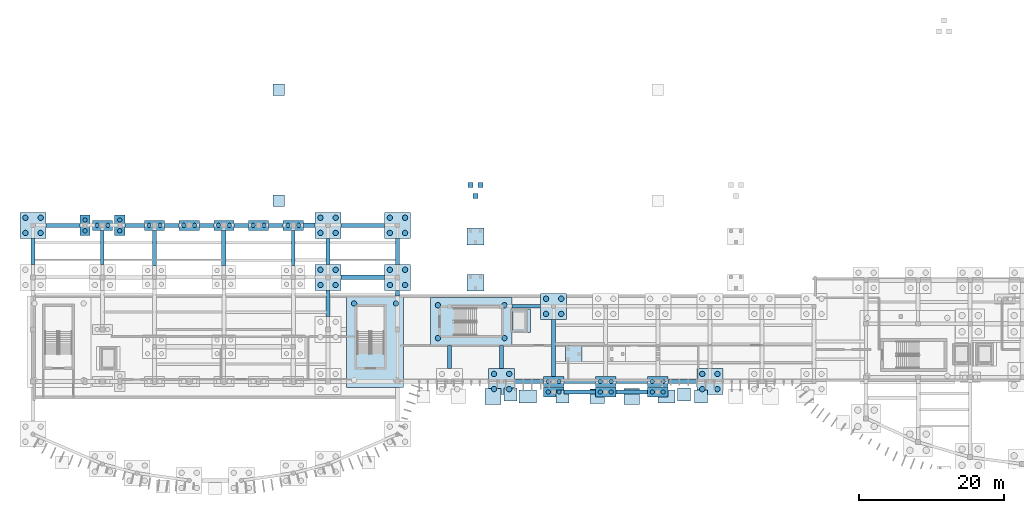
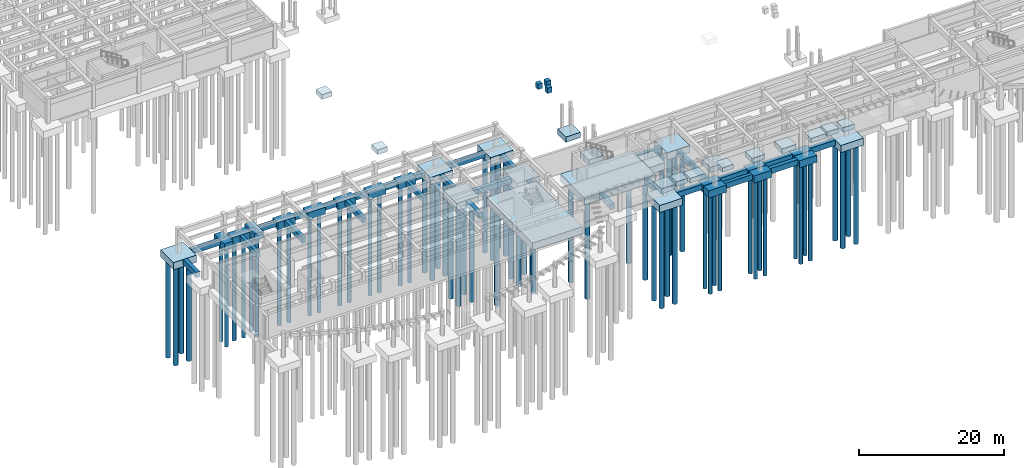
# One storey, part 2 of 31: 70 footings, 66 piles.
"""IFC4 building model written with IfcOpenShell, lengths in metres."""

from ifc_helpers import new_model, si_unit, direction, frame, origin, origin_2d, place, context, subcontext, project, spatial, rectangle, circle, extrude, material, material_profile, profile_set, type_object, element, save


model = new_model("IFC4")

# Units and contexts
model_context = context("Model", 3, precision=1e-05, world=origin(), true_north=direction((0.0, 1.0)))
body_context = subcontext(model_context, "Body", "Model", "MODEL_VIEW")
ifc_project = project(units=[si_unit("LENGTHUNIT", "METRE"), si_unit("AREAUNIT", "SQUARE_METRE"), si_unit("VOLUMEUNIT", "CUBIC_METRE"), si_unit("PLANEANGLEUNIT", "RADIAN"), si_unit("MASSUNIT", "GRAM", prefix="KILO")], contexts=[model_context])

# Site, building, storey
site_placement = place(None, origin())
site = spatial("IfcSite", under=ifc_project, at=site_placement, CompositionType="ELEMENT")
building_placement = place(site_placement, origin())
building = spatial("IfcBuilding", under=site, at=building_placement, Name="Brisavento Harbour Community Centre", CompositionType="ELEMENT")
storey_placement = place(building_placement, frame((0.0, 0.0, -4.199951171875)))
storey = spatial("IfcBuildingStorey", under=building, at=storey_placement, Name="B1", CompositionType="ELEMENT", Elevation=-4.199951171875)

# Footings
ifc_material = material(Name="Concrete C35/45", Category="concrete")
footing_type_1 = type_object("IfcFootingType", Name="FTG-GB-01", PredefinedType="FOOTING_BEAM", material=ifc_material)
footing_1_placement = place(storey_placement, frame((9.60009765625, 32.949951171875, -0.89990234375), z_axis=(0.0, 0.0, 1.0), x_axis=(1.0, 0.0, 0.0)))
element("IfcFooting", 1, at=footing_1_placement, inside=storey, type_object=footing_type_1, Name="Ground tie beam GB-009", PredefinedType="FOOTING_BEAM", context=body_context, shape_type="SweptSolid", body=[
    extrude(rectangle(XDim=0.5, YDim=4.699951171875, at=origin_2d()), origin(), (0.0, 0.0, 1.0), 0.89990234375),
])
footing_2_placement = place(storey_placement, frame((36.0, 32.862548828125, -0.89990234375), z_axis=(0.0, 0.0, 1.0), x_axis=(1.0, 0.0, 0.0)))
element("IfcFooting", 2, at=footing_2_placement, inside=storey, type_object=footing_type_1, Name="Ground tie beam GB-039", PredefinedType="FOOTING_BEAM", context=body_context, shape_type="SweptSolid", body=[
    extrude(rectangle(XDim=0.5, YDim=4.875, at=origin_2d()), origin(), (0.0, 0.0, 1.0), 0.89990234375),
])
footing_3_placement = place(storey_placement, frame((68.22509765625, 24.800048828125, -0.89990234375), z_axis=(0.0, 0.0, 1.0), x_axis=(1.0, 0.0, 0.0)))
element("IfcFooting", 3, at=footing_3_placement, inside=storey, type_object=footing_type_1, Name="Ground tie beam GB-051", PredefinedType="FOOTING_BEAM", context=body_context, shape_type="SweptSolid", body=[
    extrude(rectangle(XDim=3.949951171875, YDim=0.5, at=origin_2d()), origin(), (0.0, 0.0, 1.0), 0.89990234375),
])
footing_type_2 = type_object("IfcFootingType", Name="FTG-GB-02", PredefinedType="FOOTING_BEAM", material=ifc_material)
footing_4_placement = place(storey_placement, frame((4.14990234375, 36.0, -0.89990234375), z_axis=(0.0, 0.0, 1.0), x_axis=(1.0, 0.0, 0.0)))
element("IfcFooting", 4, at=footing_4_placement, inside=storey, type_object=footing_type_2, Name="Ground tie beam GB-007", PredefinedType="FOOTING_BEAM", context=body_context, shape_type="SweptSolid", body=[
    extrude(rectangle(XDim=4.699951171875, YDim=0.550048828125, at=origin_2d()), origin(), (0.0, 0.0, 1.0), 0.89990234375),
])
footing_5_placement = place(storey_placement, frame((40.800048828125, 32.39990234375, -0.89990234375), z_axis=(0.0, 0.0, 1.0), x_axis=(1.0, 0.0, 0.0)))
element("IfcFooting", 5, at=footing_5_placement, inside=storey, type_object=footing_type_2, Name="Ground tie beam GB-016", PredefinedType="FOOTING_BEAM", context=body_context, shape_type="SweptSolid", body=[
    extrude(rectangle(XDim=0.550048828125, YDim=3.60009765625, at=origin_2d()), origin(), (0.0, 0.0, 1.0), 0.89990234375),
])
footing_6_placement = place(storey_placement, frame((45.60009765625, 36.0, -0.89990234375), z_axis=(0.0, 0.0, 1.0), x_axis=(1.0, 0.0, 0.0)))
element("IfcFooting", 6, at=footing_6_placement, inside=storey, type_object=footing_type_2, Name="Ground tie beam GB-019", PredefinedType="FOOTING_BEAM", context=body_context, shape_type="SweptSolid", body=[
    extrude(rectangle(XDim=6.0, YDim=0.550048828125, at=origin_2d()), origin(), (0.0, 0.0, 1.0), 0.89990234375),
])
footing_7_placement = place(storey_placement, frame((50.39990234375, 26.625, -0.89990234375), z_axis=(0.0, 0.0, 1.0), x_axis=(1.0, 0.0, 0.0)))
element("IfcFooting", 7, at=footing_7_placement, inside=storey, type_object=footing_type_2, Name="Ground tie beam GB-022", PredefinedType="FOOTING_BEAM", context=body_context, shape_type="SweptSolid", body=[
    extrude(rectangle(XDim=0.550048828125, YDim=0.75, at=origin_2d()), origin(), (0.0, 0.0, 1.0), 0.89990234375),
])
footing_8_placement = place(storey_placement, frame((14.050048828125, 36.0, -0.89990234375), z_axis=(0.0, 0.0, 1.0), x_axis=(1.0, 0.0, 0.0)))
element("IfcFooting", 8, at=footing_8_placement, inside=storey, type_object=footing_type_2, Name="Ground tie beam GB-025", PredefinedType="FOOTING_BEAM", context=body_context, shape_type="SweptSolid", body=[
    extrude(rectangle(XDim=2.699951171875, YDim=0.550048828125, at=origin_2d()), origin(), (0.0, 0.0, 1.0), 0.89990234375),
])
for number, where, z_axis, x_axis, name in (
    (9, (19.199951171875, 36.0, -0.89990234375), (0.0, 0.0, 1.0), (1.0, 0.0, 0.0), "Ground tie beam GB-028"),
    (10, (24.0, 36.0, -0.89990234375), (0.0, 0.0, 1.0), (1.0, 0.0, 0.0), "Ground tie beam GB-031"),
    (11, (28.800048828125, 36.0, -0.89990234375), (0.0, 0.0, 1.0), (1.0, 0.0, 0.0), "Ground tie beam GB-034"),
    (12, (33.60009765625, 36.0, -0.89990234375), (0.0, 0.0, 1.0), (1.0, 0.0, 0.0), "Ground tie beam GB-037"),
):
    element("IfcFooting", number, at=place(storey_placement, frame(where, z_axis=z_axis, x_axis=x_axis)), inside=storey, type_object=footing_type_2, Name=name, PredefinedType="FOOTING_BEAM", context=body_context, shape_type="SweptSolid", body=[
        extrude(rectangle(XDim=2.0, YDim=0.550048828125, at=origin_2d()), origin(), (0.0, 0.0, 1.0), 0.89990234375),
    ])
footing_9_placement = place(storey_placement, frame((64.800048828125, 17.77490234375, -0.89990234375), z_axis=(0.0, 0.0, 1.0), x_axis=(1.0, 0.0, 0.0)))
element("IfcFooting", 13, at=footing_9_placement, inside=storey, type_object=footing_type_2, Name="Ground tie beam GB-049", PredefinedType="FOOTING_BEAM", context=body_context, shape_type="SweptSolid", body=[
    extrude(rectangle(XDim=0.550048828125, YDim=3.14990234375, at=origin_2d()), origin(), (0.0, 0.0, 1.0), 0.89990234375),
])
footing_10_placement = place(storey_placement, frame((72.0, 19.050048828125, -0.89990234375), z_axis=(0.0, 0.0, 1.0), x_axis=(1.0, 0.0, 0.0)))
element("IfcFooting", 14, at=footing_10_placement, inside=storey, type_object=footing_type_2, Name="Ground tie beam GB-052", PredefinedType="FOOTING_BEAM", context=body_context, shape_type="SweptSolid", body=[
    extrude(rectangle(XDim=0.550048828125, YDim=7.89990234375, at=origin_2d()), origin(), (0.0, 0.0, 1.0), 0.89990234375),
])
footing_11_placement = place(storey_placement, frame((75.60009765625, 12.949951171875, -0.89990234375), z_axis=(0.0, 0.0, 1.0), x_axis=(1.0, 0.0, 0.0)))
element("IfcFooting", 15, at=footing_11_placement, inside=storey, type_object=footing_type_2, Name="Ground tie beam GB-103", PredefinedType="FOOTING_BEAM", context=body_context, shape_type="SweptSolid", body=[
    extrude(rectangle(XDim=4.39990234375, YDim=0.550048828125, at=origin_2d()), origin(), (0.0, 0.0, 1.0), 0.89990234375),
])
footing_type_3 = type_object("IfcFootingType", Name="FTG-GB-03", PredefinedType="FOOTING_BEAM", material=ifc_material)
for number, where, z_axis, x_axis, name in (
    (16, (0.0, 32.39990234375, -0.89990234375), (0.0, 0.0, 1.0), (1.0, 0.0, 0.0), "Ground tie beam GB-005"),
    (17, (40.800048828125, 25.199951171875, -0.89990234375), (0.0, 0.0, 1.0), (1.0, 0.0, 0.0), "Ground tie beam GB-014"),
):
    element("IfcFooting", number, at=place(storey_placement, frame(where, z_axis=z_axis, x_axis=x_axis)), inside=storey, type_object=footing_type_3, Name=name, PredefinedType="FOOTING_BEAM", context=body_context, shape_type="SweptSolid", body=[
        extrude(rectangle(XDim=0.60009765625, YDim=3.60009765625, at=origin_2d()), origin(), (0.0, 0.0, 1.0), 0.89990234375),
    ])
footing_12_placement = place(storey_placement, frame((45.60009765625, 28.800048828125, -0.89990234375), z_axis=(0.0, 0.0, 1.0), x_axis=(1.0, 0.0, 0.0)))
element("IfcFooting", 18, at=footing_12_placement, inside=storey, type_object=footing_type_3, Name="Ground tie beam GB-017", PredefinedType="FOOTING_BEAM", context=body_context, shape_type="SweptSolid", body=[
    extrude(rectangle(XDim=6.0, YDim=0.60009765625, at=origin_2d()), origin(), (0.0, 0.0, 1.0), 0.89990234375),
])
footing_13_placement = place(storey_placement, frame((38.199951171875, 36.0, -0.89990234375), z_axis=(0.0, 0.0, 1.0), x_axis=(1.0, 0.0, 0.0)))
element("IfcFooting", 19, at=footing_13_placement, inside=storey, type_object=footing_type_3, Name="Ground tie beam GB-020", PredefinedType="FOOTING_BEAM", context=body_context, shape_type="SweptSolid", body=[
    extrude(rectangle(XDim=1.60009765625, YDim=0.60009765625, at=origin_2d()), origin(), (0.0, 0.0, 1.0), 0.89990234375),
])
footing_14_placement = place(storey_placement, frame((50.39990234375, 32.39990234375, -0.89990234375), z_axis=(0.0, 0.0, 1.0), x_axis=(1.0, 0.0, 0.0)))
element("IfcFooting", 20, at=footing_14_placement, inside=storey, type_object=footing_type_3, Name="Ground tie beam GB-023", PredefinedType="FOOTING_BEAM", context=body_context, shape_type="SweptSolid", body=[
    extrude(rectangle(XDim=0.60009765625, YDim=3.60009765625, at=origin_2d()), origin(), (0.0, 0.0, 1.0), 0.89990234375),
])
for number, where, z_axis, x_axis, name in (
    (21, (16.800048828125, 32.862548828125, -0.89990234375), (0.0, 0.0, 1.0), (1.0, 0.0, 0.0), "Ground tie beam GB-029"),
    (22, (26.39990234375, 32.862548828125, -0.89990234375), (0.0, 0.0, 1.0), (1.0, 0.0, 0.0), "Ground tie beam GB-035"),
):
    element("IfcFooting", number, at=place(storey_placement, frame(where, z_axis=z_axis, x_axis=x_axis)), inside=storey, type_object=footing_type_3, Name=name, PredefinedType="FOOTING_BEAM", context=body_context, shape_type="SweptSolid", body=[
        extrude(rectangle(XDim=0.60009765625, YDim=4.875, at=origin_2d()), origin(), (0.0, 0.0, 1.0), 0.89990234375),
    ])
footing_15_placement = place(storey_placement, frame((57.60009765625, 17.77490234375, -0.89990234375), z_axis=(0.0, 0.0, 1.0), x_axis=(1.0, 0.0, 0.0)))
element("IfcFooting", 23, at=footing_15_placement, inside=storey, type_object=footing_type_3, Name="Ground tie beam GB-047", PredefinedType="FOOTING_BEAM", context=body_context, shape_type="SweptSolid", body=[
    extrude(rectangle(XDim=0.60009765625, YDim=3.14990234375, at=origin_2d()), origin(), (0.0, 0.0, 1.0), 0.89990234375),
])
footing_16_placement = place(storey_placement, frame((68.60009765625, 14.39990234375, -0.89990234375), z_axis=(0.0, 0.0, 1.0), x_axis=(1.0, 0.0, 0.0)))
element("IfcFooting", 24, at=footing_16_placement, inside=storey, type_object=footing_type_3, Name="Ground tie beam GB-050", PredefinedType="FOOTING_BEAM", context=body_context, shape_type="SweptSolid", body=[
    extrude(rectangle(XDim=4.0, YDim=0.60009765625, at=origin_2d()), origin(), (0.0, 0.0, 1.0), 0.89990234375),
])
for number, where, z_axis, x_axis, name in (
    (25, (75.60009765625, 14.39990234375, -0.89990234375), (0.0, 0.0, 1.0), (1.0, 0.0, 0.0), "Ground tie beam GB-053"),
    (26, (82.800048828125, 14.39990234375, -0.89990234375), (0.0, 0.0, 1.0), (1.0, 0.0, 0.0), "Ground tie beam GB-056"),
):
    element("IfcFooting", number, at=place(storey_placement, frame(where, z_axis=z_axis, x_axis=x_axis)), inside=storey, type_object=footing_type_3, Name=name, PredefinedType="FOOTING_BEAM", context=body_context, shape_type="SweptSolid", body=[
        extrude(rectangle(XDim=4.39990234375, YDim=0.60009765625, at=origin_2d()), origin(), (0.0, 0.0, 1.0), 0.89990234375),
    ])
footing_17_placement = place(storey_placement, frame((89.800048828125, 14.39990234375, -0.89990234375), z_axis=(0.0, 0.0, 1.0), x_axis=(1.0, 0.0, 0.0)))
element("IfcFooting", 27, at=footing_17_placement, inside=storey, type_object=footing_type_3, Name="Ground tie beam GB-059", PredefinedType="FOOTING_BEAM", context=body_context, shape_type="SweptSolid", body=[
    extrude(rectangle(XDim=4.0, YDim=0.60009765625, at=origin_2d()), origin(), (0.0, 0.0, 1.0), 0.89990234375),
])
footing_18_placement = place(storey_placement, frame((82.800048828125, 12.949951171875, -0.89990234375), z_axis=(0.0, 0.0, 1.0), x_axis=(1.0, 0.0, 0.0)))
element("IfcFooting", 28, at=footing_18_placement, inside=storey, type_object=footing_type_3, Name="Ground tie beam GB-104", PredefinedType="FOOTING_BEAM", context=body_context, shape_type="SweptSolid", body=[
    extrude(rectangle(XDim=4.39990234375, YDim=0.60009765625, at=origin_2d()), origin(), (0.0, 0.0, 1.0), 0.89990234375),
])
footing_type_4 = type_object("IfcFootingType", Name="FTG-LP-LC-04", PredefinedType="PILE_CAP", material=ifc_material)
footing_19_placement = place(storey_placement, frame((67.5673828125, 22.800048828125, -1.2001953125), z_axis=(0.0, 0.0, 1.0), x_axis=(1.0, 0.0, 0.0)))
element("IfcFooting", 29, at=footing_19_placement, inside=storey, type_object=footing_type_4, Name="Lift LC-04 shaft pit foundation", PredefinedType="PILE_CAP", context=body_context, shape_type="SweptSolid", body=[
    extrude(rectangle(XDim=2.514892578125, YDim=3.25, at=origin_2d()), origin(), (0.0, 0.0, 1.0), 1.199951171875),
])
footing_type_5 = type_object("IfcFootingType", Name="FTG-MAT-C1B", PredefinedType="PILE_CAP", material=ifc_material)
footing_20_placement = place(storey_placement, frame((47.300048828125, 19.89990234375, -1.2001953125), z_axis=(0.0, 0.0, 1.0), x_axis=(1.0, 0.0, 0.0)))
element("IfcFooting", 30, at=footing_20_placement, inside=storey, type_object=footing_type_5, Name="Stair core C1B mat pile cap", PredefinedType="PILE_CAP", context=body_context, shape_type="SweptSolid", body=[
    extrude(rectangle(XDim=7.89990234375, YDim=12.699951171875, at=origin_2d()), origin(), (0.0, 0.0, 1.0), 1.199951171875),
])
footing_type_6 = type_object("IfcFootingType", Name="FTG-MAT-C2", PredefinedType="PILE_CAP", material=ifc_material)
footing_21_placement = place(storey_placement, frame((60.60009765625, 22.675048828125, -1.2001953125), z_axis=(0.0, 0.0, 1.0), x_axis=(1.0, 0.0, 0.0)))
element("IfcFooting", 31, at=footing_21_placement, inside=storey, type_object=footing_type_6, Name="Stair core C2 mat pile cap", PredefinedType="PILE_CAP", context=body_context, shape_type="SweptSolid", body=[
    extrude(rectangle(XDim=11.300048828125, YDim=6.64990234375, at=origin_2d()), origin(), (0.0, 0.0, 1.0), 1.199951171875),
])
footing_type_7 = type_object("IfcFootingType", Name="FTG-MST-MST-01-MID", PredefinedType="PAD_FOOTING", material=ifc_material)
footing_22_placement = place(storey_placement, frame((61.199951171875, 34.455078125, -0.89990234375), z_axis=(0.0, 0.0, 1.0), x_axis=(1.0, 0.0, 0.0)))
element("IfcFooting", 32, at=footing_22_placement, inside=storey, type_object=footing_type_7, Name="MST-01 MID landing pad footing", PredefinedType="PAD_FOOTING", context=body_context, shape_type="SweptSolid", body=[
    extrude(rectangle(XDim=2.300048828125, YDim=2.300048828125, at=origin_2d()), origin(), (0.0, 0.0, 1.0), 0.89990234375),
])
footing_type_8 = type_object("IfcFootingType", Name="FTG-MST-MST-01-TOP", PredefinedType="PAD_FOOTING", material=ifc_material)
footing_23_placement = place(storey_placement, frame((61.199951171875, 28.0849609375, -0.89990234375), z_axis=(0.0, 0.0, 1.0), x_axis=(1.0, 0.0, 0.0)))
element("IfcFooting", 33, at=footing_23_placement, inside=storey, type_object=footing_type_8, Name="MST-01 TOP landing pad footing", PredefinedType="PAD_FOOTING", context=body_context, shape_type="SweptSolid", body=[
    extrude(rectangle(XDim=2.300048828125, YDim=2.300048828125, at=origin_2d()), origin(), (0.0, 0.0, 1.0), 0.89990234375),
])
footing_type_9 = type_object("IfcFootingType", Name="FTG-MST-MST-08-BOT", PredefinedType="PAD_FOOTING", material=ifc_material)
footing_24_placement = place(storey_placement, frame((74.764892578125, 18.199951171875, -0.89990234375), z_axis=(0.0, 0.0, 1.0), x_axis=(1.0, 0.0, 0.0)))
element("IfcFooting", 34, at=footing_24_placement, inside=storey, type_object=footing_type_9, Name="MST-08 BOT landing pad footing", PredefinedType="PAD_FOOTING", context=body_context, shape_type="SweptSolid", body=[
    extrude(rectangle(XDim=2.300048828125, YDim=2.300048828125, at=origin_2d()), origin(), (0.0, 0.0, 1.0), 0.89990234375),
])
footing_type_10 = type_object("IfcFootingType", Name="FTG-PC-2A", PredefinedType="PILE_CAP", material=ifc_material)
footing_25_placement = place(storey_placement, frame((9.60009765625, 36.0, -1.2001953125), z_axis=(0.0, 0.0, 1.0), x_axis=(1.0, 0.0, 0.0)))
element("IfcFooting", 35, at=footing_25_placement, inside=storey, type_object=footing_type_10, Name="Pile cap PC-016", PredefinedType="PILE_CAP", context=body_context, shape_type="SweptSolid", body=[
    extrude(rectangle(XDim=2.800048828125, YDim=1.39990234375, at=origin_2d()), origin(), (0.0, 0.0, 1.0), 1.199951171875),
])
for number, where, z_axis, x_axis, name in (
    (36, (7.199951171875, 36.0, -1.2001953125), (0.0, 0.0, 1.0), (1.0, 0.0, 0.0), "Pile cap PC-026"),
    (37, (12.0, 36.0, -1.2001953125), (0.0, 0.0, 1.0), (1.0, 0.0, 0.0), "Pile cap PC-028"),
):
    element("IfcFooting", number, at=place(storey_placement, frame(where, z_axis=z_axis, x_axis=x_axis)), inside=storey, type_object=footing_type_10, Name=name, PredefinedType="PILE_CAP", context=body_context, shape_type="SweptSolid", body=[
        extrude(rectangle(XDim=1.39990234375, YDim=2.800048828125, at=origin_2d()), origin(), (0.0, 0.0, 1.0), 1.199951171875),
    ])
for number, where, z_axis, x_axis, name in (
    (38, (16.800048828125, 36.0, -1.2001953125), (0.0, 0.0, 1.0), (1.0, 0.0, 0.0), "Pile cap PC-030"),
    (39, (21.60009765625, 36.0, -1.2001953125), (0.0, 0.0, 1.0), (1.0, 0.0, 0.0), "Pile cap PC-032"),
    (40, (26.39990234375, 36.0, -1.2001953125), (0.0, 0.0, 1.0), (1.0, 0.0, 0.0), "Pile cap PC-034"),
    (41, (31.199951171875, 36.0, -1.2001953125), (0.0, 0.0, 1.0), (1.0, 0.0, 0.0), "Pile cap PC-036"),
    (42, (36.0, 36.0, -1.2001953125), (0.0, 0.0, 1.0), (1.0, 0.0, 0.0), "Pile cap PC-038"),
    (43, (72.0, 14.39990234375, -1.2001953125), (0.0, 0.0, 1.0), (1.0, 0.0, 0.0), "Pile cap PC-049"),
    (44, (79.199951171875, 14.39990234375, -1.2001953125), (0.0, 0.0, 1.0), (1.0, 0.0, 0.0), "Pile cap PC-051"),
    (45, (86.39990234375, 14.39990234375, -1.2001953125), (0.0, 0.0, 1.0), (1.0, 0.0, 0.0), "Pile cap PC-053"),
    (46, (72.0, 12.949951171875, -1.2001953125), (0.0, 0.0, 1.0), (1.0, 0.0, 0.0), "Pile cap PC-100"),
    (47, (79.199951171875, 12.949951171875, -1.2001953125), (0.0, 0.0, 1.0), (1.0, 0.0, 0.0), "Pile cap PC-101"),
    (48, (86.39990234375, 12.949951171875, -1.2001953125), (0.0, 0.0, 1.0), (1.0, 0.0, 0.0), "Pile cap PC-102"),
):
    element("IfcFooting", number, at=place(storey_placement, frame(where, z_axis=z_axis, x_axis=x_axis)), inside=storey, type_object=footing_type_10, Name=name, PredefinedType="PILE_CAP", context=body_context, shape_type="SweptSolid", body=[
        extrude(rectangle(XDim=2.800048828125, YDim=1.39990234375, at=origin_2d()), origin(), (0.0, 0.0, 1.0), 1.199951171875),
    ])
footing_type_11 = type_object("IfcFootingType", Name="FTG-PC-4B", PredefinedType="PILE_CAP", material=ifc_material)
for number, where, z_axis, x_axis, name in (
    (49, (0.0, 36.0, -1.2001953125), (0.0, 0.0, 1.0), (1.0, 0.0, 0.0), "Pile cap PC-012"),
    (50, (40.800048828125, 28.800048828125, -1.2001953125), (0.0, 0.0, 1.0), (1.0, 0.0, 0.0), "Pile cap PC-019"),
    (51, (40.800048828125, 36.0, -1.2001953125), (0.0, 0.0, 1.0), (1.0, 0.0, 0.0), "Pile cap PC-020"),
    (52, (50.39990234375, 28.800048828125, -1.2001953125), (0.0, 0.0, 1.0), (1.0, 0.0, 0.0), "Pile cap PC-023"),
    (53, (50.39990234375, 36.0, -1.2001953125), (0.0, 0.0, 1.0), (1.0, 0.0, 0.0), "Pile cap PC-024"),
    (54, (64.800048828125, 14.39990234375, -1.2001953125), (0.0, 0.0, 1.0), (1.0, 0.0, 0.0), "Pile cap PC-047"),
    (55, (72.0, 24.800048828125, -1.2001953125), (0.0, 0.0, 1.0), (1.0, 0.0, 0.0), "Pile cap PC-050"),
    (56, (93.60009765625, 14.39990234375, -1.2001953125), (0.0, 0.0, 1.0), (1.0, 0.0, 0.0), "Pile cap PC-055"),
):
    element("IfcFooting", number, at=place(storey_placement, frame(where, z_axis=z_axis, x_axis=x_axis)), inside=storey, type_object=footing_type_11, Name=name, PredefinedType="PILE_CAP", context=body_context, shape_type="SweptSolid", body=[
        extrude(rectangle(XDim=3.60009765625, YDim=3.60009765625, at=origin_2d()), origin(), (0.0, 0.0, 1.0), 1.199951171875),
    ])
footing_type_12 = type_object("IfcFootingType", Name="FTG-PF-01", PredefinedType="PAD_FOOTING", material=ifc_material)
for number, where, z_axis, x_axis, name in (
    (57, (73.199951171875, 12.35009765625, 3.030029296875), (0.0, 0.0, 1.0), (1.0, 0.0, 0.0), "Colonnade pad footing 5"),
    (58, (92.39990234375, 12.35009765625, 3.030029296875), (0.0, 0.0, 1.0), (1.0, 0.0, 0.0), "Colonnade pad footing 9"),
):
    element("IfcFooting", number, at=place(storey_placement, frame(where, z_axis=z_axis, x_axis=x_axis)), inside=storey, type_object=footing_type_12, Name=name, PredefinedType="PAD_FOOTING", context=body_context, shape_type="SweptSolid", body=[
        extrude(rectangle(XDim=1.800048828125, YDim=1.800048828125, at=origin_2d()), origin(), (0.0, 0.0, 1.0), 0.75),
    ])
footing_type_13 = type_object("IfcFootingType", Name="FTG-PF-02", PredefinedType="PAD_FOOTING", material=ifc_material)
footing_26_placement = place(storey_placement, frame((78.0, 12.35009765625, 2.97998046875), z_axis=(0.0, 0.0, 1.0), x_axis=(1.0, 0.0, 0.0)))
element("IfcFooting", 59, at=footing_26_placement, inside=storey, type_object=footing_type_13, Name="Colonnade pad footing 6", PredefinedType="PAD_FOOTING", context=body_context, shape_type="SweptSolid", body=[
    extrude(rectangle(XDim=2.0, YDim=2.0, at=origin_2d()), origin(), (0.0, 0.0, 1.0), 0.800048828125),
])
footing_type_14 = type_object("IfcFootingType", Name="FTG-PF-03", PredefinedType="PAD_FOOTING", material=ifc_material)
for number, where, z_axis, x_axis, name in (
    (60, (63.60009765625, 12.35009765625, 2.929931640625), (0.0, 0.0, 1.0), (1.0, 0.0, 0.0), "Colonnade pad footing 3"),
    (61, (82.800048828125, 12.35009765625, 2.929931640625), (0.0, 0.0, 1.0), (1.0, 0.0, 0.0), "Colonnade pad footing 7"),
):
    element("IfcFooting", number, at=place(storey_placement, frame(where, z_axis=z_axis, x_axis=x_axis)), inside=storey, type_object=footing_type_14, Name=name, PredefinedType="PAD_FOOTING", context=body_context, shape_type="SweptSolid", body=[
        extrude(rectangle(XDim=2.199951171875, YDim=2.199951171875, at=origin_2d()), origin(), (0.0, 0.0, 1.0), 0.85009765625),
    ])
footing_type_15 = type_object("IfcFootingType", Name="FTG-PF-04", PredefinedType="PAD_FOOTING", material=ifc_material)
for number, where, z_axis, x_axis, name in (
    (62, (68.39990234375, 12.35009765625, 2.97998046875), (0.0, 0.0, 1.0), (1.0, 0.0, 0.0), "Colonnade pad footing 4"),
    (63, (87.60009765625, 12.35009765625, 2.97998046875), (0.0, 0.0, 1.0), (1.0, 0.0, 0.0), "Colonnade pad footing 8"),
):
    element("IfcFooting", number, at=place(storey_placement, frame(where, z_axis=z_axis, x_axis=x_axis)), inside=storey, type_object=footing_type_15, Name=name, PredefinedType="PAD_FOOTING", context=body_context, shape_type="SweptSolid", body=[
        extrude(rectangle(XDim=2.39990234375, YDim=1.800048828125, at=origin_2d()), origin(), (0.0, 0.0, 1.0), 0.800048828125),
    ])
footing_type_16 = type_object("IfcFootingType", Name="FTG-PF-05", PredefinedType="PAD_FOOTING", material=ifc_material)
for number, where, z_axis, x_axis, name in (
    (64, (66.0, 12.60009765625, 2.97998046875), (0.0, 0.0, 1.0), (1.0, 0.0, 0.0), "Colonnade plinth pad footing V2-1"),
    (65, (90.0, 12.60009765625, 2.97998046875), (0.0, 0.0, 1.0), (1.0, 0.0, 0.0), "Colonnade plinth pad footing V2-2"),
):
    element("IfcFooting", number, at=place(storey_placement, frame(where, z_axis=z_axis, x_axis=x_axis)), inside=storey, type_object=footing_type_16, Name=name, PredefinedType="PAD_FOOTING", context=body_context, shape_type="SweptSolid", body=[
        extrude(rectangle(XDim=1.800048828125, YDim=1.800048828125, at=origin_2d()), origin(), (0.0, 0.0, 1.0), 0.800048828125),
    ])
footing_type_17 = type_object("IfcFootingType", Name="FTG-PF-06", PredefinedType="PAD_FOOTING", material=ifc_material)
for number, where, z_axis, x_axis, name in (
    (66, (33.9599609375, 39.425048828125, 3.19970703125), (0.0, 0.0, 1.0), (1.0, 0.0, 0.0), "Courtyard plaza grade pad footing 01"),
    (67, (33.9599609375, 54.739990234375, 3.19970703125), (0.0, 0.0, 1.0), (1.0, 0.0, 0.0), "Courtyard plaza grade pad footing 02"),
):
    element("IfcFooting", number, at=place(storey_placement, frame(where, z_axis=z_axis, x_axis=x_axis)), inside=storey, type_object=footing_type_17, Name=name, PredefinedType="PAD_FOOTING", context=body_context, shape_type="SweptSolid", body=[
        extrude(rectangle(XDim=1.60009765625, YDim=1.60009765625, at=origin_2d()), origin(), (0.0, 0.0, 1.0), 0.800048828125),
    ])
footing_type_18 = type_object("IfcFootingType", Name="FTG-PF-07", PredefinedType="PAD_FOOTING", material=ifc_material)
for number, where, z_axis, x_axis, name in (
    (68, (60.52001953125, 41.570068359375, 3.10009765625), (0.0, 0.0, 1.0), (1.0, 0.0, 0.0), "MST-01 BOT support footing 1"),
    (69, (61.8798828125, 41.570068359375, 3.10009765625), (0.0, 0.0, 1.0), (1.0, 0.0, 0.0), "MST-01 BOT support footing 2"),
    (70, (61.199951171875, 40.080078125, 3.10009765625), (0.0, 0.0, 1.0), (1.0, 0.0, 0.0), "MST-01 BOT support footing 3"),
):
    element("IfcFooting", number, at=place(storey_placement, frame(where, z_axis=z_axis, x_axis=x_axis)), inside=storey, type_object=footing_type_18, Name=name, PredefinedType="PAD_FOOTING", context=body_context, shape_type="SweptSolid", body=[
        extrude(rectangle(XDim=0.699951171875, YDim=0.699951171875, at=origin_2d()), origin(), (0.0, 0.0, 1.0), 0.89990234375),
    ])

# Piles
ifc_material_profile_1 = material_profile(ifc_material, circle(Radius=0.300048828125, at=origin_2d()), Name="Concrete C35/45")
ifc_profile_set_1 = profile_set([ifc_material_profile_1], Name="Concrete C35/45")
pile_type_1 = type_object("IfcPileType", Name="PILE-600", PredefinedType="BORED", material=ifc_profile_set_1)
for number, where, z_axis, x_axis, name in (
    (71, (8.85009765625, 36.0, -1.10009765625), (0.0, 0.0, -1.0), (1.0, 0.0, 0.0), "Bored pile PC-016-P1"),
    (72, (10.35009765625, 36.0, -1.10009765625), (0.0, 0.0, -1.0), (1.0, 0.0, 0.0), "Bored pile PC-016-P2"),
    (73, (7.199951171875, 35.25, -1.10009765625), (0.0, 0.0, -1.0), (1.0, 0.0, 0.0), "Bored pile PC-026-P1"),
    (74, (7.199951171875, 36.75, -1.10009765625), (0.0, 0.0, -1.0), (1.0, 0.0, 0.0), "Bored pile PC-026-P2"),
    (75, (12.0, 35.25, -1.10009765625), (0.0, 0.0, -1.0), (1.0, 0.0, 0.0), "Bored pile PC-028-P1"),
    (76, (12.0, 36.75, -1.10009765625), (0.0, 0.0, -1.0), (1.0, 0.0, 0.0), "Bored pile PC-028-P2"),
    (77, (16.050048828125, 36.0, -1.10009765625), (0.0, 0.0, -1.0), (1.0, 0.0, 0.0), "Bored pile PC-030-P1"),
    (78, (17.550048828125, 36.0, -1.10009765625), (0.0, 0.0, -1.0), (1.0, 0.0, 0.0), "Bored pile PC-030-P2"),
    (79, (20.85009765625, 36.0, -1.10009765625), (0.0, 0.0, -1.0), (1.0, 0.0, 0.0), "Bored pile PC-032-P1"),
    (80, (22.35009765625, 36.0, -1.10009765625), (0.0, 0.0, -1.0), (1.0, 0.0, 0.0), "Bored pile PC-032-P2"),
    (81, (25.64990234375, 36.0, -1.10009765625), (0.0, 0.0, -1.0), (1.0, 0.0, 0.0), "Bored pile PC-034-P1"),
    (82, (27.14990234375, 36.0, -1.10009765625), (0.0, 0.0, -1.0), (1.0, 0.0, 0.0), "Bored pile PC-034-P2"),
    (83, (30.449951171875, 36.0, -1.10009765625), (0.0, 0.0, -1.0), (1.0, 0.0, 0.0), "Bored pile PC-036-P1"),
    (84, (31.949951171875, 36.0, -1.10009765625), (0.0, 0.0, -1.0), (1.0, 0.0, 0.0), "Bored pile PC-036-P2"),
    (85, (35.25, 36.0, -1.10009765625), (0.0, 0.0, -1.0), (1.0, 0.0, 0.0), "Bored pile PC-038-P1"),
    (86, (36.75, 36.0, -1.10009765625), (0.0, 0.0, -1.0), (1.0, 0.0, 0.0), "Bored pile PC-038-P2"),
    (87, (71.25, 14.39990234375, -1.10009765625), (0.0, 0.0, -1.0), (1.0, 0.0, 0.0), "Bored pile PC-049-P1"),
    (88, (72.75, 14.39990234375, -1.10009765625), (0.0, 0.0, -1.0), (1.0, 0.0, 0.0), "Bored pile PC-049-P2"),
    (89, (78.449951171875, 14.39990234375, -1.10009765625), (0.0, 0.0, -1.0), (1.0, 0.0, 0.0), "Bored pile PC-051-P1"),
    (90, (79.949951171875, 14.39990234375, -1.10009765625), (0.0, 0.0, -1.0), (1.0, 0.0, 0.0), "Bored pile PC-051-P2"),
    (91, (85.64990234375, 14.39990234375, -1.10009765625), (0.0, 0.0, -1.0), (1.0, 0.0, 0.0), "Bored pile PC-053-P1"),
    (92, (87.14990234375, 14.39990234375, -1.10009765625), (0.0, 0.0, -1.0), (1.0, 0.0, 0.0), "Bored pile PC-053-P2"),
    (93, (71.25, 12.949951171875, -1.10009765625), (0.0, 0.0, -1.0), (1.0, 0.0, 0.0), "Bored pile PC-100-P1"),
    (94, (72.75, 12.949951171875, -1.10009765625), (0.0, 0.0, -1.0), (1.0, 0.0, 0.0), "Bored pile PC-100-P2"),
    (95, (78.449951171875, 12.949951171875, -1.10009765625), (0.0, 0.0, -1.0), (1.0, 0.0, 0.0), "Bored pile PC-101-P1"),
    (96, (79.949951171875, 12.949951171875, -1.10009765625), (0.0, 0.0, -1.0), (1.0, 0.0, 0.0), "Bored pile PC-101-P2"),
    (97, (85.64990234375, 12.949951171875, -1.10009765625), (0.0, 0.0, -1.0), (1.0, 0.0, 0.0), "Bored pile PC-102-P1"),
    (98, (87.14990234375, 12.949951171875, -1.10009765625), (0.0, 0.0, -1.0), (1.0, 0.0, 0.0), "Bored pile PC-102-P2"),
):
    element("IfcPile", number, at=place(storey_placement, frame(where, z_axis=z_axis, x_axis=x_axis)), inside=storey, type_object=pile_type_1, Name=name, PredefinedType="BORED", context=body_context, shape_type="SweptSolid", body=[
        extrude(circle(Radius=0.300048828125, at=origin_2d()), origin(), (0.0, 0.0, 1.0), 16.699951171875),
    ])
ifc_material_profile_2 = material_profile(ifc_material, circle(Radius=0.375, at=origin_2d()), Name="Concrete C35/45")
ifc_profile_set_2 = profile_set([ifc_material_profile_2], Name="Concrete C35/45")
pile_type_2 = type_object("IfcPileType", Name="PILE-750", PredefinedType="BORED", material=ifc_profile_set_2)
for number, where, z_axis, x_axis, name in (
    (99, (44.39990234375, 25.199951171875, -1.10009765625), (0.0, 0.0, -1.0), (1.0, 0.0, 0.0), "Core C1B bored pile P3"),
    (100, (50.199951171875, 25.199951171875, -1.10009765625), (0.0, 0.0, -1.0), (1.0, 0.0, 0.0), "Core C1B bored pile P4"),
    (101, (56.0, 20.39990234375, -1.10009765625), (0.0, 0.0, -1.0), (1.0, 0.0, 0.0), "Core C2 bored pile P1"),
    (102, (65.199951171875, 20.39990234375, -1.10009765625), (0.0, 0.0, -1.0), (1.0, 0.0, 0.0), "Core C2 bored pile P2"),
    (103, (56.0, 24.949951171875, -1.10009765625), (0.0, 0.0, -1.0), (1.0, 0.0, 0.0), "Core C2 bored pile P3"),
    (104, (65.199951171875, 24.949951171875, -1.10009765625), (0.0, 0.0, -1.0), (1.0, 0.0, 0.0), "Core C2 bored pile P4"),
    (105, (-1.050048828125, 34.949951171875, -1.10009765625), (0.0, 0.0, -1.0), (1.0, 0.0, 0.0), "Bored pile PC-012-P1"),
    (106, (1.050048828125, 34.949951171875, -1.10009765625), (0.0, 0.0, -1.0), (1.0, 0.0, 0.0), "Bored pile PC-012-P2"),
    (107, (-1.050048828125, 37.050048828125, -1.10009765625), (0.0, 0.0, -1.0), (1.0, 0.0, 0.0), "Bored pile PC-012-P3"),
    (108, (1.050048828125, 37.050048828125, -1.10009765625), (0.0, 0.0, -1.0), (1.0, 0.0, 0.0), "Bored pile PC-012-P4"),
    (109, (39.75, 27.75, -1.10009765625), (0.0, 0.0, -1.0), (1.0, 0.0, 0.0), "Bored pile PC-019-P1"),
    (110, (41.85009765625, 27.75, -1.10009765625), (0.0, 0.0, -1.0), (1.0, 0.0, 0.0), "Bored pile PC-019-P2"),
    (111, (39.75, 29.85009765625, -1.10009765625), (0.0, 0.0, -1.0), (1.0, 0.0, 0.0), "Bored pile PC-019-P3"),
    (112, (41.85009765625, 29.85009765625, -1.10009765625), (0.0, 0.0, -1.0), (1.0, 0.0, 0.0), "Bored pile PC-019-P4"),
    (113, (39.75, 34.949951171875, -1.10009765625), (0.0, 0.0, -1.0), (1.0, 0.0, 0.0), "Bored pile PC-020-P1"),
    (114, (41.85009765625, 34.949951171875, -1.10009765625), (0.0, 0.0, -1.0), (1.0, 0.0, 0.0), "Bored pile PC-020-P2"),
    (115, (39.75, 37.050048828125, -1.10009765625), (0.0, 0.0, -1.0), (1.0, 0.0, 0.0), "Bored pile PC-020-P3"),
    (116, (41.85009765625, 37.050048828125, -1.10009765625), (0.0, 0.0, -1.0), (1.0, 0.0, 0.0), "Bored pile PC-020-P4"),
    (117, (49.35009765625, 27.75, -1.10009765625), (0.0, 0.0, -1.0), (1.0, 0.0, 0.0), "Bored pile PC-023-P1"),
    (118, (51.449951171875, 27.75, -1.10009765625), (0.0, 0.0, -1.0), (1.0, 0.0, 0.0), "Bored pile PC-023-P2"),
    (119, (49.35009765625, 29.85009765625, -1.10009765625), (0.0, 0.0, -1.0), (1.0, 0.0, 0.0), "Bored pile PC-023-P3"),
    (120, (51.449951171875, 29.85009765625, -1.10009765625), (0.0, 0.0, -1.0), (1.0, 0.0, 0.0), "Bored pile PC-023-P4"),
    (121, (49.35009765625, 34.949951171875, -1.10009765625), (0.0, 0.0, -1.0), (1.0, 0.0, 0.0), "Bored pile PC-024-P1"),
    (122, (51.449951171875, 34.949951171875, -1.10009765625), (0.0, 0.0, -1.0), (1.0, 0.0, 0.0), "Bored pile PC-024-P2"),
    (123, (49.35009765625, 37.050048828125, -1.10009765625), (0.0, 0.0, -1.0), (1.0, 0.0, 0.0), "Bored pile PC-024-P3"),
    (124, (51.449951171875, 37.050048828125, -1.10009765625), (0.0, 0.0, -1.0), (1.0, 0.0, 0.0), "Bored pile PC-024-P4"),
    (125, (63.75, 13.35009765625, -1.10009765625), (0.0, 0.0, -1.0), (1.0, 0.0, 0.0), "Bored pile PC-047-P1"),
    (126, (65.85009765625, 13.35009765625, -1.10009765625), (0.0, 0.0, -1.0), (1.0, 0.0, 0.0), "Bored pile PC-047-P2"),
    (127, (63.75, 15.449951171875, -1.10009765625), (0.0, 0.0, -1.0), (1.0, 0.0, 0.0), "Bored pile PC-047-P3"),
    (128, (65.85009765625, 15.449951171875, -1.10009765625), (0.0, 0.0, -1.0), (1.0, 0.0, 0.0), "Bored pile PC-047-P4"),
    (129, (70.949951171875, 23.75, -1.10009765625), (0.0, 0.0, -1.0), (1.0, 0.0, 0.0), "Bored pile PC-050-P1"),
    (130, (73.050048828125, 23.75, -1.10009765625), (0.0, 0.0, -1.0), (1.0, 0.0, 0.0), "Bored pile PC-050-P2"),
    (131, (70.949951171875, 25.85009765625, -1.10009765625), (0.0, 0.0, -1.0), (1.0, 0.0, 0.0), "Bored pile PC-050-P3"),
    (132, (73.050048828125, 25.85009765625, -1.10009765625), (0.0, 0.0, -1.0), (1.0, 0.0, 0.0), "Bored pile PC-050-P4"),
    (133, (92.550048828125, 13.35009765625, -1.10009765625), (0.0, 0.0, -1.0), (1.0, 0.0, 0.0), "Bored pile PC-055-P1"),
    (134, (94.64990234375, 13.35009765625, -1.10009765625), (0.0, 0.0, -1.0), (1.0, 0.0, 0.0), "Bored pile PC-055-P2"),
    (135, (92.550048828125, 15.449951171875, -1.10009765625), (0.0, 0.0, -1.0), (1.0, 0.0, 0.0), "Bored pile PC-055-P3"),
    (136, (94.64990234375, 15.449951171875, -1.10009765625), (0.0, 0.0, -1.0), (1.0, 0.0, 0.0), "Bored pile PC-055-P4"),
):
    element("IfcPile", number, at=place(storey_placement, frame(where, z_axis=z_axis, x_axis=x_axis)), inside=storey, type_object=pile_type_2, Name=name, PredefinedType="BORED", context=body_context, shape_type="SweptSolid", body=[
        extrude(circle(Radius=0.375, at=origin_2d()), origin(), (0.0, 0.0, 1.0), 16.699951171875),
    ])

save(model, "model.ifc")
